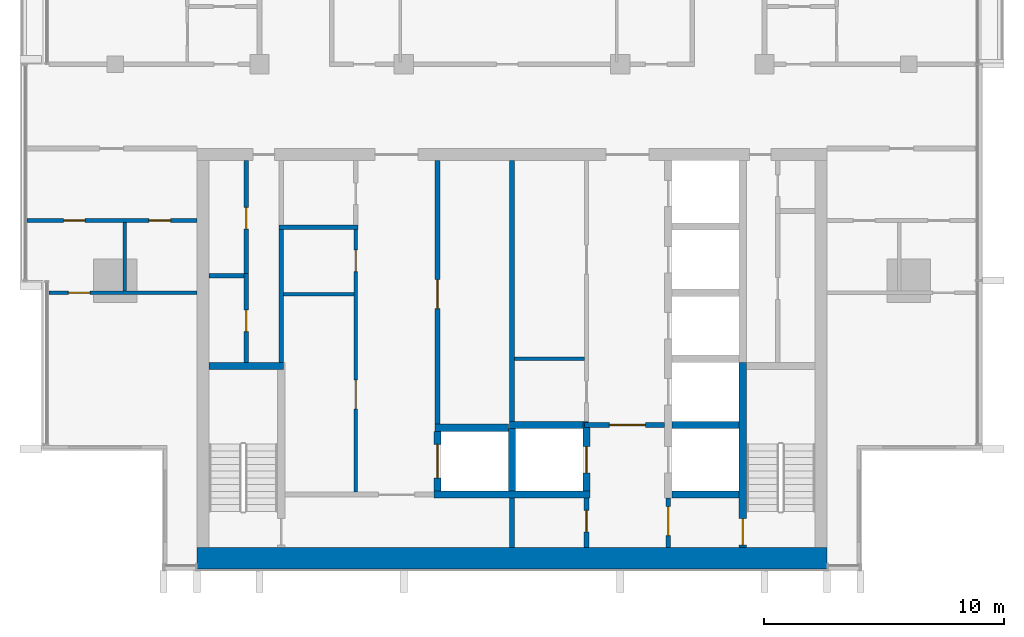
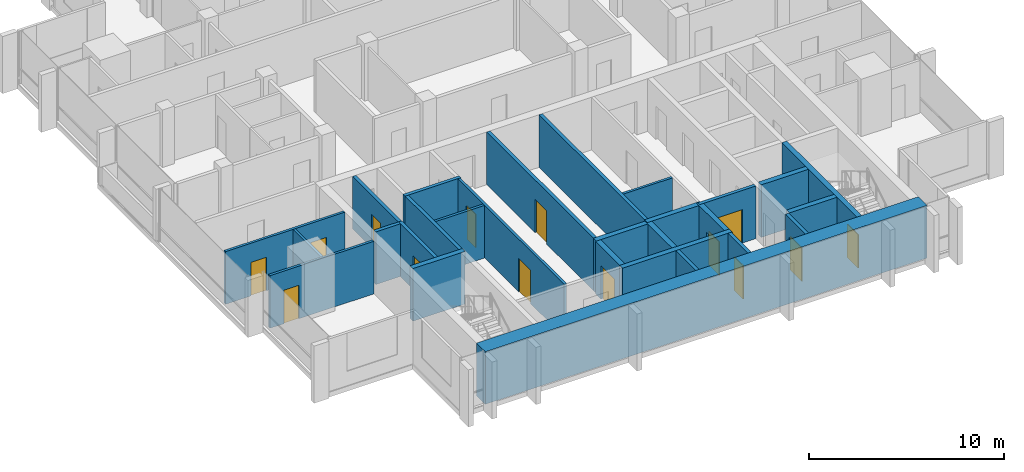
# One storey, part 7 of 16: 28 walls, 14 doors, 14 openings.
"""IFC4 building model written with IfcOpenShell, lengths in metres."""

import ifcopenshell
import ifcopenshell.guid

model = None  # the IFC model being written
_history = None  # IfcOwnerHistory: only IFC2X3 demands one
_inside = {}  # id of a spatial element -> (the spatial element, [elements in it])
_under = {}  # id of a project, library or spatial element -> (it, [spatial elements below it])
_declared = {}  # id of a project -> (the project, [libraries it declares])
_typed = {}  # id of a type object -> (the type object, [elements of that type])
_made_of = {}  # id of a material, layer set ... -> (it, [elements and type objects made of it])


def new_model(schema):
    """Start an empty IFC model of exactly this schema.

    Asked for "IFC4X3", IfcOpenShell would pick the latest addendum, in which some entities
    have other attributes; the version numbers below select the first issue.
    IFC2X3 requires an IfcOwnerHistory on every rooted entity: one is made here for all.
    """
    global model, _history
    if schema == "IFC4X3":
        model = ifcopenshell.file(schema_version=(4, 3, 0, 0))
    else:
        model = ifcopenshell.file(schema=schema)
    _inside.clear()
    _under.clear()
    _declared.clear()
    _typed.clear()
    _made_of.clear()
    _history = None
    if model.schema == "IFC2X3":
        org = make("IfcOrganization", Name="unknown")
        user = make(
            "IfcPersonAndOrganization",
            ThePerson=make("IfcPerson", FamilyName="unknown"),
            TheOrganization=org,
        )
        app = make(
            "IfcApplication",
            ApplicationDeveloper=org,
            Version="unknown",
            ApplicationFullName="unknown",
            ApplicationIdentifier="unknown",
        )
        _history = make(
            "IfcOwnerHistory",
            OwningUser=user,
            OwningApplication=app,
            ChangeAction="ADDED",
            CreationDate=0,
        )
    return model


def make(cls, **values):
    """One entity of the class cls with the attributes given. An attribute that is None is left unset."""
    return model.create_entity(
        cls, **{name: value for name, value in values.items() if value is not None}
    )


def rooted(cls, **values):
    """An entity with a GlobalId (a new one), such as an element, a storey or a relation."""
    return make(cls, GlobalId=ifcopenshell.guid.new(), OwnerHistory=_history, **values)


def si_unit(unit_type, name, prefix=None):
    """IfcSIUnit, for example si_unit("LENGTHUNIT", "METRE", prefix="MILLI")."""
    return make("IfcSIUnit", UnitType=unit_type, Prefix=prefix, Name=name)


def assignment(units):
    """IfcUnitAssignment: the units of a project."""
    return None if units is None else make("IfcUnitAssignment", Units=units)


def point(xyz):
    """IfcCartesianPoint."""
    return None if xyz is None else make("IfcCartesianPoint", Coordinates=xyz)


def direction(xyz):
    """IfcDirection."""
    return None if xyz is None else make("IfcDirection", DirectionRatios=xyz)


def frame(location, z_axis=None, x_axis=None):
    """IfcAxis2Placement3D, a coordinate frame: its origin and axes. An axis left out is left unset."""
    return make(
        "IfcAxis2Placement3D",
        Location=point(location),
        Axis=direction(z_axis),
        RefDirection=direction(x_axis),
    )


def frame_2d(location, x_axis=None):
    """IfcAxis2Placement2D, a coordinate frame in the plane: its origin and x axis."""
    return make(
        "IfcAxis2Placement2D", Location=point(location), RefDirection=direction(x_axis)
    )


def origin():
    """The frame at (0, 0, 0) with its axes left unset."""
    return frame((0.0, 0.0, 0.0))


def place(relative_to, where):
    """IfcLocalPlacement: puts the frame where relative to a parent placement (None: the world)."""
    return make(
        "IfcLocalPlacement", PlacementRelTo=relative_to, RelativePlacement=where
    )


def context(
    kind, dimensions, precision=None, world=None, true_north=None, identifier=None
):
    """IfcGeometricRepresentationContext, for example the 3D "Model" context."""
    return make(
        "IfcGeometricRepresentationContext",
        ContextIdentifier=identifier,
        ContextType=kind,
        CoordinateSpaceDimension=dimensions,
        Precision=precision,
        WorldCoordinateSystem=world,
        TrueNorth=true_north,
    )


def subcontext(parent, identifier, kind, view, scale=None):
    """IfcGeometricRepresentationSubContext, for example "Body" below "Model"."""
    return make(
        "IfcGeometricRepresentationSubContext",
        ContextIdentifier=identifier,
        ContextType=kind,
        ParentContext=parent,
        TargetScale=scale,
        TargetView=view,
    )


def project(units=None, contexts=None):
    """IfcProject with its units and contexts."""
    return rooted(
        "IfcProject",
        Name="project",
        RepresentationContexts=contexts,
        UnitsInContext=assignment(units),
    )


def spatial(cls, under=None, at=None, **own):
    """A site, building, storey or space (cls), placed at a placement, below another one or the project."""
    s = rooted(cls, ObjectPlacement=at, **own)
    if under is not None:
        _under.setdefault(under.id(), (under, []))[1].append(s)
    return s


def profile(cls, at=None, kind="AREA", **sizes):
    """A parametric profile (cls). Its sizes go by their IFC names, for example OverallWidth=200.0."""
    return make(cls, ProfileType=kind, Position=at, **sizes)


def rectangle(**sizes):
    """IfcRectangleProfileDef."""
    return profile("IfcRectangleProfileDef", **sizes)


def extrude(swept, where, along, depth):
    """IfcExtrudedAreaSolid: the profile swept, set in the frame where, extruded along a direction by depth."""
    return make(
        "IfcExtrudedAreaSolid",
        SweptArea=swept,
        Position=where,
        ExtrudedDirection=direction(along),
        Depth=depth,
    )


def shape(context_of_items, identifier, shape_type, items):
    """IfcShapeRepresentation: the items that make up one representation, for example the "Body"."""
    return make(
        "IfcShapeRepresentation",
        ContextOfItems=context_of_items,
        RepresentationIdentifier=identifier,
        RepresentationType=shape_type,
        Items=items,
    )


def material(Name=None, Category=None):
    """IfcMaterial."""
    return make("IfcMaterial", Name=Name, Category=Category)


def layer(
    of_material, thickness, ventilated=None, Name=None, Category=None, Priority=None
):
    """IfcMaterialLayer: one layer of a wall or slab, of a material (None: an air gap)."""
    return make(
        "IfcMaterialLayer",
        Material=of_material,
        LayerThickness=thickness,
        IsVentilated=ventilated,
        Name=Name,
        Category=Category,
        Priority=Priority,
    )


def layer_set(layers, Name=None):
    """IfcMaterialLayerSet."""
    return make("IfcMaterialLayerSet", MaterialLayers=layers, LayerSetName=Name)


def made_of(thing, what):
    """Note that an element or type object is made of a material, layer set ...; save() writes the relation."""
    if what is not None:
        _made_of.setdefault(what.id(), (what, []))[1].append(thing)
    return thing


def type_object(cls, material=None, **own):
    """A type object (cls), such as IfcWallType, which elements share."""
    return made_of(rooted(cls, **own), material)


def element(
    cls,
    number,
    at=None,
    inside=None,
    cuts=None,
    type_object=None,
    material=None,
    context=None,
    identifier="Body",
    shape_type=None,
    held_by="IfcProductDefinitionShape",
    body=None,
    shapes=None,
    **own,
):
    """One element of the class cls, such as IfcWall. Its Tag is "e" and its number.

    at: its placement. inside: the storey or other place that contains it. cuts: it is an
    opening in that element (IfcRelVoidsElement). A single representation is given by context,
    identifier, shape_type and body (its items); several are given by shapes. held_by: the class
    of the entity that holds the representations. save() writes the other relations.
    """
    e = rooted(cls, Tag="e%d" % number, ObjectPlacement=at, **own)
    if body is not None:
        shapes = [shape(context, identifier, shape_type, body)]
    if shapes is not None:
        e.Representation = make(held_by, Representations=shapes)
    if inside is not None:
        _inside.setdefault(inside.id(), (inside, []))[1].append(e)
    if cuts is not None:
        rooted(
            "IfcRelVoidsElement", RelatingBuildingElement=cuts, RelatedOpeningElement=e
        )
    if type_object is not None:
        _typed.setdefault(type_object.id(), (type_object, []))[1].append(e)
    return made_of(e, material)


def fill(opening, filler):
    """IfcRelFillsElement: the door or window that sits in an opening."""
    return rooted(
        "IfcRelFillsElement",
        RelatingOpeningElement=opening,
        RelatedBuildingElement=filler,
    )


def aggregate(whole, parts):
    """IfcRelAggregates: a whole, such as a stair, and the parts it consists of."""
    return rooted("IfcRelAggregates", RelatingObject=whole, RelatedObjects=parts)


def save(model, path):
    """Write the relations noted so far, then the file.

    IfcRelAggregates (storeys below a building ...), IfcRelContainedInSpatialStructure (elements
    in a storey), IfcRelDefinesByType, IfcRelAssociatesMaterial and IfcRelDeclares: one each for
    every whole, place, type object, material and project.
    """
    for whole, parts in _under.values():
        aggregate(whole, parts)
    for where, things in _inside.values():
        rooted(
            "IfcRelContainedInSpatialStructure",
            RelatedElements=things,
            RelatingStructure=where,
        )
    for kind, things in _typed.values():
        rooted("IfcRelDefinesByType", RelatedObjects=things, RelatingType=kind)
    for what, things in _made_of.values():
        rooted("IfcRelAssociatesMaterial", RelatedObjects=things, RelatingMaterial=what)
    for by, libraries in _declared.values():
        rooted("IfcRelDeclares", RelatingContext=by, RelatedDefinitions=libraries)
    model.write(path)


model = new_model("IFC4")

# Units and contexts
model_context = context("Model", 3, precision=1e-05, world=origin(), true_north=direction((0.0, 1.0)))
body_context = subcontext(model_context, "Body", "Model", "MODEL_VIEW")
ifc_project = project(units=[si_unit("LENGTHUNIT", "METRE"), si_unit("AREAUNIT", "SQUARE_METRE"), si_unit("VOLUMEUNIT", "CUBIC_METRE"), si_unit("PLANEANGLEUNIT", "RADIAN"), si_unit("MASSUNIT", "GRAM", prefix="KILO")], contexts=[model_context])

# Site, building, storey
site_placement = place(None, origin())
site = spatial("IfcSite", under=ifc_project, at=site_placement, CompositionType="ELEMENT")
building_placement = place(site_placement, origin())
building = spatial("IfcBuilding", under=site, at=building_placement, Name="Finial Court Residences", CompositionType="ELEMENT")
storey_placement = place(building_placement, frame((0.0, 0.0, 287.89990234375)))
storey = spatial("IfcBuildingStorey", under=building, at=storey_placement, Name="L73", CompositionType="ELEMENT", Elevation=287.89990234375)

# Walls
ifc_material_1 = material(Name="Fire-rated gypsum board partition")
ifc_layer_1 = layer(ifc_material_1, 0.14990234375)
ifc_layer_set_1 = layer_set([ifc_layer_1], Name="Core room partition 150 EI 60")
wall_type_1 = type_object("IfcWallType", Name="Core room partition 150 EI 60", PredefinedType="PARTITIONING", material=ifc_layer_set_1)
wall_1_placement = place(storey_placement, frame((0.10009765625, -16.75, 0.0), z_axis=(0.0, 0.0, 1.0), x_axis=(1.0, 0.0, 0.0)))
element("IfcWall", 1, at=wall_1_placement, inside=storey, type_object=wall_type_1, Name="Core partition L73-10", PredefinedType="PARTITIONING", context=body_context, shape_type="SweptSolid", body=[
    extrude(rectangle(XDim=2.9248046875, YDim=0.14990234375, at=frame_2d((1.46240234375, 0.0))), origin(), (0.0, 0.0, 1.0), 3.300048828125),
])
wall_2_placement = place(storey_placement, frame((-9.5, -14.06005859375, 0.0), z_axis=(0.0, 0.0, 1.0), x_axis=(1.0, 0.0, 0.0)))
element("IfcWall", 2, at=wall_2_placement, inside=storey, type_object=wall_type_1, Name="Core partition L73-12", PredefinedType="PARTITIONING", context=body_context, shape_type="SweptSolid", body=[
    extrude(rectangle(XDim=2.925048828125, YDim=0.14990234375, at=frame_2d((1.46240234375, 0.0))), origin(), (0.0, 0.0, 1.0), 3.300048828125),
])

# Wall, openings, doors
wall_3_placement = place(storey_placement, frame((-6.5, -22.300048828125, 0.0), z_axis=(0.0, 0.0, 1.0), x_axis=(0.0, 1.0, 0.0)))
wall_3 = element("IfcWall", 3, at=wall_3_placement, inside=storey, type_object=wall_type_1, Name="Core partition L73-23", PredefinedType="PARTITIONING", context=body_context, shape_type="SweptSolid", body=[
    extrude(rectangle(XDim=10.920166015625, YDim=0.14990234375, at=frame_2d((5.4599609375, 0.0))), origin(), (0.0, 0.0, 1.0), 3.300048828125),
])
opening_1_placement = place(wall_3_placement, frame((3.469970703125, 0.0, 0.0)))
opening_1 = element("IfcOpeningElement", 4, at=opening_1_placement, cuts=wall_3, Name="Opening L73-C15", PredefinedType="OPENING", context=body_context, shape_type="SweptSolid", body=[
    extrude(rectangle(XDim=1.199951171875, YDim=2.10009765625, at=frame_2d((0.60009765625, 1.050048828125))), frame((0.0, 0.0849609375, 0.0), z_axis=(0.0, -1.0, 0.0), x_axis=(1.0, 0.0, 0.0)), (0.0, 0.0, 1.0), 0.169921875),
])
opening_2_placement = place(wall_3_placement, frame((9.179931640625, 0.0, 0.0)))
opening_2 = element("IfcOpeningElement", 5, at=opening_2_placement, cuts=wall_3, Name="Opening L73-C16", PredefinedType="OPENING", context=body_context, shape_type="SweptSolid", body=[
    extrude(rectangle(XDim=0.89990234375, YDim=2.10009765625, at=frame_2d((0.449951171875, 1.050048828125))), frame((0.0, 0.0849609375, 0.0), z_axis=(0.0, -1.0, 0.0), x_axis=(1.0, 0.0, 0.0)), (0.0, 0.0, 1.0), 0.169921875),
])
ifc_material_2 = material(Name="Steel fire door", Category="steel")
door_type_1 = type_object("IfcDoorType", Name="Core room door 1200 x 2100 EI 60", OperationType="NOTDEFINED", PredefinedType="DOOR", material=ifc_material_2)
door_1_placement = place(opening_1_placement, origin())
door_1 = element("IfcDoor", 6, at=door_1_placement, inside=storey, type_object=door_type_1, Name="Core room door L73-C15", OperationType="SINGLE_SWING_LEFT", OverallHeight=2.10009765625, OverallWidth=1.199951171875, PredefinedType="DOOR", context=body_context, shape_type="SweptSolid", body=[
    extrude(rectangle(XDim=1.199951171875, YDim=2.10009765625, at=frame_2d((0.60009765625, 1.050048828125))), frame((0.0, 0.02490234375, 0.0), z_axis=(0.0, -1.0, 0.0), x_axis=(1.0, 0.0, 0.0)), (0.0, 0.0, 1.0), 0.050048828125),
])
fill(opening_1, door_1)
door_type_2 = type_object("IfcDoorType", Name="Core room door 900 x 2100 EI 60", OperationType="NOTDEFINED", PredefinedType="DOOR", material=ifc_material_2)
door_2_placement = place(opening_2_placement, origin())
door_2 = element("IfcDoor", 7, at=door_2_placement, inside=storey, type_object=door_type_2, Name="Core room door L73-C16", OperationType="SINGLE_SWING_LEFT", OverallHeight=2.10009765625, OverallWidth=0.89990234375, PredefinedType="DOOR", context=body_context, shape_type="SweptSolid", body=[
    extrude(rectangle(XDim=0.89990234375, YDim=2.10009765625, at=frame_2d((0.449951171875, 1.050048828125))), frame((0.0, 0.02490234375, 0.0), z_axis=(0.0, -1.0, 0.0), x_axis=(1.0, 0.0, 0.0)), (0.0, 0.0, 1.0), 0.050048828125),
])
fill(opening_2, door_2)

# Wall
ifc_material_3 = material(Name="Concrete C50/60", Category="concrete")
ifc_layer_2 = layer(ifc_material_3, 0.89990234375)
ifc_layer_set_2 = layer_set([ifc_layer_2], Name="Core south facade wall 900 Concrete C50/60")
wall_type_2 = type_object("IfcWallType", Name="Core south facade wall 900 Concrete C50/60", PredefinedType="SHEAR", material=ifc_layer_set_2)
wall_4_placement = place(storey_placement, frame((-13.10009765625, -25.050048828125, 0.0), z_axis=(0.0, 0.0, 1.0), x_axis=(1.0, 0.0, 0.0)))
element("IfcWall", 8, at=wall_4_placement, inside=storey, type_object=wall_type_2, Name="Core outer wall L73-01", PredefinedType="SHEAR", context=body_context, shape_type="SweptSolid", body=[
    extrude(rectangle(XDim=26.2001953125, YDim=0.89990234375, at=frame_2d((13.10009765625, 0.0))), origin(), (0.0, 0.0, 1.0), 3.300048828125),
])

# Wall, opening, door
ifc_layer_3 = layer(ifc_material_1, 0.199951171875)
ifc_layer_set_3 = layer_set([ifc_layer_3], Name="Firefighting lobby wall 200 EI 120")
wall_type_3 = type_object("IfcWallType", Name="Firefighting lobby wall 200 EI 120", PredefinedType="PARTITIONING", material=ifc_layer_set_3)
wall_5_placement = place(storey_placement, frame((6.35009765625, -19.5, 0.0), z_axis=(0.0, 0.0, 1.0), x_axis=(-1.0, 0.0, 0.0)))
wall_5 = element("IfcWall", 9, at=wall_5_placement, inside=storey, type_object=wall_type_3, Name="Core partition L73-06", PredefinedType="PARTITIONING", context=body_context, shape_type="SweptSolid", body=[
    extrude(rectangle(XDim=3.3251953125, YDim=0.199951171875, at=frame_2d((1.66259765625, 0.0))), origin(), (0.0, 0.0, 1.0), 3.300048828125),
])
opening_3_placement = place(wall_5_placement, frame((0.800048828125, 0.0, 0.0)))
opening_3 = element("IfcOpeningElement", 10, at=opening_3_placement, cuts=wall_5, Name="Opening L73-C02", PredefinedType="OPENING", context=body_context, shape_type="SweptSolid", body=[
    extrude(rectangle(XDim=1.5, YDim=2.10009765625, at=frame_2d((0.75, 1.050048828125))), frame((0.0, 0.10986328125, 0.0), z_axis=(0.0, -1.0, 0.0), x_axis=(1.0, 0.0, 0.0)), (0.0, 0.0, 1.0), 0.219970703125),
])
door_type_3 = type_object("IfcDoorType", Name="Firefighting lobby door 1500 x 2100 EI 90", OperationType="DOUBLE_DOOR_SINGLE_SWING", PredefinedType="DOOR", material=ifc_material_2)
door_3_placement = place(opening_3_placement, origin())
door_3 = element("IfcDoor", 11, at=door_3_placement, inside=storey, type_object=door_type_3, Name="Firefighting lobby door L73-C02", OperationType="DOUBLE_DOOR_SINGLE_SWING", OverallHeight=2.10009765625, OverallWidth=1.5, PredefinedType="DOOR", context=body_context, shape_type="SweptSolid", body=[
    extrude(rectangle(XDim=1.5, YDim=2.10009765625, at=frame_2d((0.75, 1.050048828125))), frame((0.0, 0.02490234375, 0.0), z_axis=(0.0, -1.0, 0.0), x_axis=(1.0, 0.0, 0.0)), (0.0, 0.0, 1.0), 0.050048828125),
])
fill(opening_3, door_3)

wall_6_placement = place(storey_placement, frame((3.10009765625, -24.60009765625, 0.0), z_axis=(0.0, 0.0, 1.0), x_axis=(0.0, 1.0, 0.0)))
wall_6 = element("IfcWall", 12, at=wall_6_placement, inside=storey, type_object=wall_type_3, Name="Core partition L73-30", PredefinedType="PARTITIONING", context=body_context, shape_type="SweptSolid", body=[
    extrude(rectangle(XDim=2.050048828125, YDim=0.199951171875, at=frame_2d((1.02490234375, 0.0))), origin(), (0.0, 0.0, 1.0), 3.300048828125),
])
opening_4_placement = place(wall_6_placement, frame((0.64990234375, 0.0, 0.0)))
opening_4 = element("IfcOpeningElement", 13, at=opening_4_placement, cuts=wall_6, Name="Opening L73-C06", PredefinedType="OPENING", context=body_context, shape_type="SweptSolid", body=[
    extrude(rectangle(XDim=0.89990234375, YDim=2.10009765625, at=frame_2d((0.449951171875, 1.050048828125))), frame((0.0, 0.10986328125, 0.0), z_axis=(0.0, -1.0, 0.0), x_axis=(1.0, 0.0, 0.0)), (0.0, 0.0, 1.0), 0.219970703125),
])
door_type_4 = type_object("IfcDoorType", Name="Riser room door 900 x 2100 EI 90", OperationType="NOTDEFINED", PredefinedType="DOOR", material=ifc_material_2)
door_4_placement = place(opening_4_placement, origin())
door_4 = element("IfcDoor", 14, at=door_4_placement, inside=storey, type_object=door_type_4, Name="Riser room door L73-C06", OperationType="SINGLE_SWING_LEFT", OverallHeight=2.10009765625, OverallWidth=0.89990234375, PredefinedType="DOOR", context=body_context, shape_type="SweptSolid", body=[
    extrude(rectangle(XDim=0.89990234375, YDim=2.10009765625, at=frame_2d((0.449951171875, 1.050048828125))), frame((0.0, 0.02490234375, 0.0), z_axis=(0.0, -1.0, 0.0), x_axis=(1.0, 0.0, 0.0)), (0.0, 0.0, 1.0), 0.050048828125),
])
fill(opening_4, door_4)

wall_7_placement = place(storey_placement, frame((6.5, -22.550048828125, 0.0), z_axis=(0.0, 0.0, 1.0), x_axis=(0.0, -1.0, 0.0)))
wall_7 = element("IfcWall", 15, at=wall_7_placement, inside=storey, type_object=wall_type_3, Name="Core partition L73-33", PredefinedType="PARTITIONING", context=body_context, shape_type="SweptSolid", body=[
    extrude(rectangle(XDim=2.050048828125, YDim=0.199951171875, at=frame_2d((1.02490234375, 0.0))), origin(), (0.0, 0.0, 1.0), 3.300048828125),
])
opening_5_placement = place(wall_7_placement, frame((0.35009765625, 0.0, 0.0)))
opening_5 = element("IfcOpeningElement", 16, at=opening_5_placement, cuts=wall_7, Name="Opening L73-C01", PredefinedType="OPENING", context=body_context, shape_type="SweptSolid", body=[
    extrude(rectangle(XDim=1.199951171875, YDim=2.10009765625, at=frame_2d((0.60009765625, 1.050048828125))), frame((0.0, 0.10986328125, 0.0), z_axis=(0.0, -1.0, 0.0), x_axis=(1.0, 0.0, 0.0)), (0.0, 0.0, 1.0), 0.219970703125),
])
door_type_5 = type_object("IfcDoorType", Name="Firefighting lobby door 1200 x 2100 EI 90", OperationType="NOTDEFINED", PredefinedType="DOOR", material=ifc_material_2)
door_5_placement = place(opening_5_placement, origin())
door_5 = element("IfcDoor", 17, at=door_5_placement, inside=storey, type_object=door_type_5, Name="Firefighting lobby door L73-C01", OperationType="SINGLE_SWING_RIGHT", OverallHeight=2.10009765625, OverallWidth=1.199951171875, PredefinedType="DOOR", context=body_context, shape_type="SweptSolid", body=[
    extrude(rectangle(XDim=1.199951171875, YDim=2.10009765625, at=frame_2d((0.60009765625, 1.050048828125))), frame((0.0, 0.02490234375, 0.0), z_axis=(0.0, -1.0, 0.0), x_axis=(1.0, 0.0, 0.0)), (0.0, 0.0, 1.0), 0.050048828125),
])
fill(opening_5, door_5)

ifc_material_4 = material(Name="Moisture-resistant gypsum board")
ifc_layer_4 = layer(ifc_material_4, 0.012451171875)
ifc_material_5 = material(Name="Mineral wool in light-gauge frame")
ifc_layer_5 = layer(ifc_material_5, 0.125)
ifc_layer_6 = layer(ifc_material_4, 0.012451171875)
ifc_layer_set_4 = layer_set([ifc_layer_4, ifc_layer_5, ifc_layer_6], Name="Gypsum board wet-area partition 150")
wall_type_4 = type_object("IfcWallType", Name="Gypsum board wet-area partition 150", PredefinedType="PARTITIONING", material=ifc_layer_set_4)
wall_8_placement = place(storey_placement, frame((-19.262451171875, -14.0, 0.0), z_axis=(0.0, 0.0, 1.0), x_axis=(1.0, 0.0, 0.0)))
wall_8 = element("IfcWall", 18, at=wall_8_placement, inside=storey, type_object=wall_type_4, Name="Partition L73-000", PredefinedType="PARTITIONING", context=body_context, shape_type="SweptSolid", body=[
    extrude(rectangle(XDim=6.162353515625, YDim=0.14990234375, at=frame_2d((3.0810546875, 0.0))), origin(), (0.0, 0.0, 1.0), 3.300048828125),
])
opening_6_placement = place(wall_8_placement, frame((0.81201171875, 0.0, 0.0)))
opening_6 = element("IfcOpeningElement", 19, at=opening_6_placement, cuts=wall_8, Name="Opening L73-D001", PredefinedType="OPENING", context=body_context, shape_type="SweptSolid", body=[
    extrude(rectangle(XDim=0.89990234375, YDim=2.10009765625, at=frame_2d((0.449951171875, 1.050048828125))), frame((0.0, 0.0849609375, 0.0), z_axis=(0.0, -1.0, 0.0), x_axis=(1.0, 0.0, 0.0)), (0.0, 0.0, 1.0), 0.169921875),
])
ifc_material_6 = material(Name="Timber door leaf in timber frame", Category="wood")
door_type_6 = type_object("IfcDoorType", Name="Door set 900 x 2100", OperationType="SINGLE_SWING_LEFT", PredefinedType="DOOR", material=ifc_material_6)
door_6_placement = place(opening_6_placement, origin())
door_6 = element("IfcDoor", 20, at=door_6_placement, inside=storey, type_object=door_type_6, Name="Door L73-D001", OperationType="SINGLE_SWING_LEFT", OverallHeight=2.10009765625, OverallWidth=0.89990234375, PredefinedType="DOOR", context=body_context, shape_type="SweptSolid", body=[
    extrude(rectangle(XDim=0.89990234375, YDim=2.10009765625, at=frame_2d((0.449951171875, 1.050048828125))), frame((0.0, 0.02490234375, 0.0), z_axis=(0.0, -1.0, 0.0), x_axis=(1.0, 0.0, 0.0)), (0.0, 0.0, 1.0), 0.050048828125),
])
fill(opening_6, door_6)

# Wall, openings, doors
wall_9_placement = place(storey_placement, frame((-20.16259765625, -11.0, 0.0), z_axis=(0.0, 0.0, 1.0), x_axis=(1.0, 0.0, 0.0)))
wall_9 = element("IfcWall", 21, at=wall_9_placement, inside=storey, type_object=wall_type_4, Name="Partition L73-002", PredefinedType="PARTITIONING", context=body_context, shape_type="SweptSolid", body=[
    extrude(rectangle(XDim=7.0625, YDim=0.14990234375, at=frame_2d((3.53125, 0.0))), origin(), (0.0, 0.0, 1.0), 3.300048828125),
])
opening_7_placement = place(wall_9_placement, frame((1.512939453125, 0.0, 0.0)))
opening_7 = element("IfcOpeningElement", 22, at=opening_7_placement, cuts=wall_9, Name="Opening L73-D003", PredefinedType="OPENING", context=body_context, shape_type="SweptSolid", body=[
    extrude(rectangle(XDim=0.89990234375, YDim=2.10009765625, at=frame_2d((0.449951171875, 1.050048828125))), frame((0.0, 0.0849609375, 0.0), z_axis=(0.0, -1.0, 0.0), x_axis=(1.0, 0.0, 0.0)), (0.0, 0.0, 1.0), 0.169921875),
])
opening_8_placement = place(wall_9_placement, frame((5.06298828125, 0.0, 0.0)))
opening_8 = element("IfcOpeningElement", 23, at=opening_8_placement, cuts=wall_9, Name="Opening L73-D004", PredefinedType="OPENING", context=body_context, shape_type="SweptSolid", body=[
    extrude(rectangle(XDim=0.89990234375, YDim=2.10009765625, at=frame_2d((0.449951171875, 1.050048828125))), frame((0.0, 0.0849609375, 0.0), z_axis=(0.0, -1.0, 0.0), x_axis=(1.0, 0.0, 0.0)), (0.0, 0.0, 1.0), 0.169921875),
])
door_7_placement = place(opening_7_placement, origin())
door_7 = element("IfcDoor", 24, at=door_7_placement, inside=storey, type_object=door_type_6, Name="Door L73-D003", OperationType="SINGLE_SWING_LEFT", OverallHeight=2.10009765625, OverallWidth=0.89990234375, PredefinedType="DOOR", context=body_context, shape_type="SweptSolid", body=[
    extrude(rectangle(XDim=0.89990234375, YDim=2.10009765625, at=frame_2d((0.449951171875, 1.050048828125))), frame((0.0, 0.02490234375, 0.0), z_axis=(0.0, -1.0, 0.0), x_axis=(1.0, 0.0, 0.0)), (0.0, 0.0, 1.0), 0.050048828125),
])
fill(opening_7, door_7)
door_8_placement = place(opening_8_placement, origin())
door_8 = element("IfcDoor", 25, at=door_8_placement, inside=storey, type_object=door_type_6, Name="Door L73-D004", OperationType="SINGLE_SWING_RIGHT", OverallHeight=2.10009765625, OverallWidth=0.89990234375, PredefinedType="DOOR", context=body_context, shape_type="SweptSolid", body=[
    extrude(rectangle(XDim=0.89990234375, YDim=2.10009765625, at=frame_2d((0.449951171875, 1.050048828125))), frame((0.0, 0.02490234375, 0.0), z_axis=(0.0, -1.0, 0.0), x_axis=(1.0, 0.0, 0.0)), (0.0, 0.0, 1.0), 0.050048828125),
])
fill(opening_8, door_8)

# Walls
wall_10_placement = place(storey_placement, frame((-16.10009765625, -13.925048828125, 0.0), z_axis=(0.0, 0.0, 1.0), x_axis=(0.0, 1.0, 0.0)))
element("IfcWall", 26, at=wall_10_placement, inside=storey, type_object=wall_type_4, Name="Partition L73-031", PredefinedType="PARTITIONING", context=body_context, shape_type="SweptSolid", body=[
    extrude(rectangle(XDim=2.85009765625, YDim=0.14990234375, at=frame_2d((1.425048828125, 0.0))), origin(), (0.0, 0.0, 1.0), 3.300048828125),
])
ifc_layer_7 = layer(ifc_material_3, 0.300048828125)
ifc_layer_set_5 = layer_set([ifc_layer_7], Name="Lift shaft and stair wall 300 Concrete C50/60")
wall_type_5 = type_object("IfcWallType", Name="Lift shaft and stair wall 300 Concrete C50/60", PredefinedType="SHEAR", material=ifc_layer_set_5)
wall_11_placement = place(storey_placement, frame((-3.25, -22.39990234375, 0.0), z_axis=(0.0, 0.0, 1.0), x_axis=(1.0, 0.0, 0.0)))
element("IfcWall", 27, at=wall_11_placement, inside=storey, type_object=wall_type_5, Name="Core wall L73-02", PredefinedType="SHEAR", context=body_context, shape_type="SweptSolid", body=[
    extrude(rectangle(XDim=6.5, YDim=0.300048828125, at=frame_2d((3.25, 0.0))), origin(), (0.0, 0.0, 1.0), 3.300048828125),
])
wall_12_placement = place(storey_placement, frame((6.64990234375, -22.39990234375, 0.0), z_axis=(0.0, 0.0, 1.0), x_axis=(1.0, 0.0, 0.0)))
element("IfcWall", 28, at=wall_12_placement, inside=storey, type_object=wall_type_5, Name="Core wall L73-03", PredefinedType="SHEAR", context=body_context, shape_type="SweptSolid", body=[
    extrude(rectangle(XDim=2.800048828125, YDim=0.300048828125, at=frame_2d((1.39990234375, 0.0))), origin(), (0.0, 0.0, 1.0), 3.300048828125),
])
wall_13_placement = place(storey_placement, frame((-3.199951171875, -19.6201171875, 0.0), z_axis=(0.0, 0.0, 1.0), x_axis=(1.0, 0.0, 0.0)))
element("IfcWall", 29, at=wall_13_placement, inside=storey, type_object=wall_type_5, Name="Core wall L73-04", PredefinedType="SHEAR", context=body_context, shape_type="SweptSolid", body=[
    extrude(rectangle(XDim=3.050048828125, YDim=0.300048828125, at=frame_2d((1.52490234375, 0.0))), origin(), (0.0, 0.0, 1.0), 3.300048828125),
])
wall_14_placement = place(storey_placement, frame((-0.10009765625, -19.5, 0.0), z_axis=(0.0, 0.0, 1.0), x_axis=(1.0, 0.0, 0.0)))
element("IfcWall", 30, at=wall_14_placement, inside=storey, type_object=wall_type_5, Name="Core wall L73-05", PredefinedType="SHEAR", context=body_context, shape_type="SweptSolid", body=[
    extrude(rectangle(XDim=3.275146484375, YDim=0.300048828125, at=frame_2d((1.6376953125, 0.0))), origin(), (0.0, 0.0, 1.0), 3.300048828125),
])
wall_15_placement = place(storey_placement, frame((6.64990234375, -19.5, 0.0), z_axis=(0.0, 0.0, 1.0), x_axis=(1.0, 0.0, 0.0)))
element("IfcWall", 31, at=wall_15_placement, inside=storey, type_object=wall_type_5, Name="Core wall L73-07", PredefinedType="SHEAR", context=body_context, shape_type="SweptSolid", body=[
    extrude(rectangle(XDim=2.800048828125, YDim=0.300048828125, at=frame_2d((1.39990234375, 0.0))), origin(), (0.0, 0.0, 1.0), 3.300048828125),
])
wall_16_placement = place(storey_placement, frame((-12.60009765625, -17.050048828125, 0.0), z_axis=(0.0, 0.0, 1.0), x_axis=(1.0, 0.0, 0.0)))
element("IfcWall", 32, at=wall_16_placement, inside=storey, type_object=wall_type_5, Name="Core wall L73-08", PredefinedType="SHEAR", context=body_context, shape_type="SweptSolid", body=[
    extrude(rectangle(XDim=3.10009765625, YDim=0.300048828125, at=frame_2d((1.550048828125, 0.0))), origin(), (0.0, 0.0, 1.0), 3.300048828125),
])

# Wall, opening, door
wall_17_placement = place(storey_placement, frame((-3.10009765625, -22.25, 0.0), z_axis=(0.0, 0.0, 1.0), x_axis=(0.0, 1.0, 0.0)))
wall_17 = element("IfcWall", 33, at=wall_17_placement, inside=storey, type_object=wall_type_5, Name="Core wall L73-25", PredefinedType="SHEAR", context=body_context, shape_type="SweptSolid", body=[
    extrude(rectangle(XDim=2.47998046875, YDim=0.300048828125, at=frame_2d((1.239990234375, 0.0))), origin(), (0.0, 0.0, 1.0), 3.300048828125),
])
opening_9_placement = place(wall_17_placement, frame((0.5400390625, 0.0, 0.0)))
opening_9 = element("IfcOpeningElement", 34, at=opening_9_placement, cuts=wall_17, Name="Opening L73-LD07", PredefinedType="OPENING", context=body_context, shape_type="SweptSolid", body=[
    extrude(rectangle(XDim=1.39990234375, YDim=2.10009765625, at=frame_2d((0.699951171875, 1.050048828125))), frame((0.0, 0.159912109375, 0.0), z_axis=(0.0, -1.0, 0.0), x_axis=(1.0, 0.0, 0.0)), (0.0, 0.0, 1.0), 0.320068359375),
])
ifc_material_7 = material(Name="Stainless steel lift door", Category="steel")
door_type_7 = type_object("IfcDoorType", Name="Lift landing door 1400 x 2100 EI 90", OperationType="DOUBLE_DOOR_SLIDING", PredefinedType="DOOR", material=ifc_material_7)
door_9_placement = place(opening_9_placement, origin())
door_9 = element("IfcDoor", 35, at=door_9_placement, inside=storey, type_object=door_type_7, Name="Lift landing door SV1 L73", OperationType="DOUBLE_DOOR_SLIDING", OverallHeight=2.10009765625, OverallWidth=1.39990234375, PredefinedType="DOOR", context=body_context, shape_type="SweptSolid", body=[
    extrude(rectangle(XDim=1.39990234375, YDim=2.10009765625, at=frame_2d((0.699951171875, 1.050048828125))), frame((0.0, 0.02490234375, 0.0), z_axis=(0.0, -1.0, 0.0), x_axis=(1.0, 0.0, 0.0)), (0.0, 0.0, 1.0), 0.050048828125),
])
fill(opening_9, door_9)

# Wall
wall_18_placement = place(storey_placement, frame((0.0, -22.25, 0.0), z_axis=(0.0, 0.0, 1.0), x_axis=(0.0, 1.0, 0.0)))
element("IfcWall", 36, at=wall_18_placement, inside=storey, type_object=wall_type_5, Name="Core wall L73-28", PredefinedType="SHEAR", context=body_context, shape_type="SweptSolid", body=[
    extrude(rectangle(XDim=2.60009765625, YDim=0.300048828125, at=frame_2d((1.300048828125, 0.0))), origin(), (0.0, 0.0, 1.0), 3.300048828125),
])

# Wall, opening, door
wall_19_placement = place(storey_placement, frame((3.10009765625, -22.25, 0.0), z_axis=(0.0, 0.0, 1.0), x_axis=(0.0, 1.0, 0.0)))
wall_19 = element("IfcWall", 37, at=wall_19_placement, inside=storey, type_object=wall_type_5, Name="Core wall L73-31", PredefinedType="SHEAR", context=body_context, shape_type="SweptSolid", body=[
    extrude(rectangle(XDim=2.85009765625, YDim=0.300048828125, at=frame_2d((1.425048828125, 0.0))), origin(), (0.0, 0.0, 1.0), 3.300048828125),
])
opening_10_placement = place(wall_19_placement, frame((0.75, 0.0, 0.0)))
opening_10 = element("IfcOpeningElement", 38, at=opening_10_placement, cuts=wall_19, Name="Opening L73-LD01", PredefinedType="OPENING", context=body_context, shape_type="SweptSolid", body=[
    extrude(rectangle(XDim=1.10009765625, YDim=2.10009765625, at=frame_2d((0.550048828125, 1.050048828125))), frame((0.0, 0.159912109375, 0.0), z_axis=(0.0, -1.0, 0.0), x_axis=(1.0, 0.0, 0.0)), (0.0, 0.0, 1.0), 0.320068359375),
])
door_type_8 = type_object("IfcDoorType", Name="Lift landing door 1100 x 2100 EI 90", OperationType="DOUBLE_DOOR_SLIDING", PredefinedType="DOOR", material=ifc_material_7)
door_10_placement = place(opening_10_placement, origin())
door_10 = element("IfcDoor", 39, at=door_10_placement, inside=storey, type_object=door_type_8, Name="Lift landing door FF1 L73", OperationType="DOUBLE_DOOR_SLIDING", OverallHeight=2.10009765625, OverallWidth=1.10009765625, PredefinedType="DOOR", context=body_context, shape_type="SweptSolid", body=[
    extrude(rectangle(XDim=1.10009765625, YDim=2.10009765625, at=frame_2d((0.550048828125, 1.050048828125))), frame((0.0, 0.02490234375, 0.0), z_axis=(0.0, -1.0, 0.0), x_axis=(1.0, 0.0, 0.0)), (0.0, 0.0, 1.0), 0.050048828125),
])
fill(opening_10, door_10)

wall_20_placement = place(storey_placement, frame((9.60009765625, -16.89990234375, 0.0), z_axis=(0.0, 0.0, 1.0), x_axis=(0.0, -1.0, 0.0)))
wall_20 = element("IfcWall", 40, at=wall_20_placement, inside=storey, type_object=wall_type_5, Name="Core wall L73-35", PredefinedType="SHEAR", context=body_context, shape_type="SweptSolid", body=[
    extrude(rectangle(XDim=7.7001953125, YDim=0.300048828125, at=frame_2d((3.85009765625, 0.0))), origin(), (0.0, 0.0, 1.0), 3.300048828125),
])
opening_11_placement = place(wall_20_placement, frame((6.5, 0.0, 0.0)))
opening_11 = element("IfcOpeningElement", 41, at=opening_11_placement, cuts=wall_20, Name="Opening L73-C20", PredefinedType="OPENING", context=body_context, shape_type="SweptSolid", body=[
    extrude(rectangle(XDim=1.10009765625, YDim=2.10009765625, at=frame_2d((0.550048828125, 1.050048828125))), frame((0.0, 0.159912109375, 0.0), z_axis=(0.0, -1.0, 0.0), x_axis=(1.0, 0.0, 0.0)), (0.0, 0.0, 1.0), 0.320068359375),
])
door_type_9 = type_object("IfcDoorType", Name="Stair door 1100 x 2100 EI 90", OperationType="NOTDEFINED", PredefinedType="DOOR", material=ifc_material_2)
door_11_placement = place(opening_11_placement, origin())
door_11 = element("IfcDoor", 42, at=door_11_placement, inside=storey, type_object=door_type_9, Name="Stair door L73-C20", OperationType="SINGLE_SWING_RIGHT", OverallHeight=2.10009765625, OverallWidth=1.10009765625, PredefinedType="DOOR", context=body_context, shape_type="SweptSolid", body=[
    extrude(rectangle(XDim=1.10009765625, YDim=2.10009765625, at=frame_2d((0.550048828125, 1.050048828125))), frame((0.0, 0.02490234375, 0.0), z_axis=(0.0, -1.0, 0.0), x_axis=(1.0, 0.0, 0.0)), (0.0, 0.0, 1.0), 0.050048828125),
])
fill(opening_11, door_11)

# Walls
ifc_layer_8 = layer(ifc_material_1, 0.199951171875)
ifc_layer_set_6 = layer_set([ifc_layer_8], Name="Riser room wall 200 EI 120")
wall_type_6 = type_object("IfcWallType", Name="Riser room wall 200 EI 120", PredefinedType="PARTITIONING", material=ifc_layer_set_6)
wall_21_placement = place(storey_placement, frame((-12.60009765625, -13.300048828125, 0.0), z_axis=(0.0, 0.0, 1.0), x_axis=(1.0, 0.0, 0.0)))
element("IfcWall", 43, at=wall_21_placement, inside=storey, type_object=wall_type_6, Name="Core partition L73-14", PredefinedType="PARTITIONING", context=body_context, shape_type="SweptSolid", body=[
    extrude(rectangle(XDim=1.4501953125, YDim=0.199951171875, at=frame_2d((0.72509765625, 0.0))), origin(), (0.0, 0.0, 1.0), 3.300048828125),
])
wall_22_placement = place(storey_placement, frame((-9.699951171875, -11.280029296875, 0.0), z_axis=(0.0, 0.0, 1.0), x_axis=(1.0, 0.0, 0.0)))
element("IfcWall", 44, at=wall_22_placement, inside=storey, type_object=wall_type_6, Name="Core partition L73-15", PredefinedType="PARTITIONING", context=body_context, shape_type="SweptSolid", body=[
    extrude(rectangle(XDim=3.300048828125, YDim=0.199951171875, at=frame_2d((1.64990234375, 0.0))), origin(), (0.0, 0.0, 1.0), 3.300048828125),
])

# Wall, opening, door
wall_23_placement = place(storey_placement, frame((-11.050048828125, -13.39990234375, 0.0), z_axis=(0.0, 0.0, 1.0), x_axis=(0.0, 1.0, 0.0)))
wall_23 = element("IfcWall", 45, at=wall_23_placement, inside=storey, type_object=wall_type_6, Name="Core partition L73-19", PredefinedType="PARTITIONING", context=body_context, shape_type="SweptSolid", body=[
    extrude(rectangle(XDim=4.89990234375, YDim=0.199951171875, at=frame_2d((2.449951171875, 0.0))), origin(), (0.0, 0.0, 1.0), 3.300048828125),
])
opening_12_placement = place(wall_23_placement, frame((2.050048828125, 0.0, 0.0)))
opening_12 = element("IfcOpeningElement", 46, at=opening_12_placement, cuts=wall_23, Name="Opening L73-C07", PredefinedType="OPENING", context=body_context, shape_type="SweptSolid", body=[
    extrude(rectangle(XDim=0.89990234375, YDim=2.10009765625, at=frame_2d((0.449951171875, 1.050048828125))), frame((0.0, 0.10986328125, 0.0), z_axis=(0.0, -1.0, 0.0), x_axis=(1.0, 0.0, 0.0)), (0.0, 0.0, 1.0), 0.219970703125),
])
door_12_placement = place(opening_12_placement, origin())
door_12 = element("IfcDoor", 47, at=door_12_placement, inside=storey, type_object=door_type_4, Name="Riser room door L73-C07", OperationType="SINGLE_SWING_LEFT", OverallHeight=2.10009765625, OverallWidth=0.89990234375, PredefinedType="DOOR", context=body_context, shape_type="SweptSolid", body=[
    extrude(rectangle(XDim=0.89990234375, YDim=2.10009765625, at=frame_2d((0.449951171875, 1.050048828125))), frame((0.0, 0.02490234375, 0.0), z_axis=(0.0, -1.0, 0.0), x_axis=(1.0, 0.0, 0.0)), (0.0, 0.0, 1.0), 0.050048828125),
])
fill(opening_12, door_12)

wall_24_placement = place(storey_placement, frame((-3.10009765625, -8.5, 0.0), z_axis=(0.0, 0.0, 1.0), x_axis=(0.0, -1.0, 0.0)))
wall_24 = element("IfcWall", 48, at=wall_24_placement, inside=storey, type_object=wall_type_6, Name="Core partition L73-26", PredefinedType="PARTITIONING", context=body_context, shape_type="SweptSolid", body=[
    extrude(rectangle(XDim=10.969970703125, YDim=0.199951171875, at=frame_2d((5.48486328125, 0.0))), origin(), (0.0, 0.0, 1.0), 3.300048828125),
])
opening_13_placement = place(wall_24_placement, frame((4.9599609375, 0.0, 0.0)))
opening_13 = element("IfcOpeningElement", 49, at=opening_13_placement, cuts=wall_24, Name="Opening L73-C10", PredefinedType="OPENING", context=body_context, shape_type="SweptSolid", body=[
    extrude(rectangle(XDim=1.199951171875, YDim=2.10009765625, at=frame_2d((0.60009765625, 1.050048828125))), frame((0.0, 0.10986328125, 0.0), z_axis=(0.0, -1.0, 0.0), x_axis=(1.0, 0.0, 0.0)), (0.0, 0.0, 1.0), 0.219970703125),
])
door_type_10 = type_object("IfcDoorType", Name="Riser room door 1200 x 2100 EI 90", OperationType="NOTDEFINED", PredefinedType="DOOR", material=ifc_material_2)
door_13_placement = place(opening_13_placement, origin())
door_13 = element("IfcDoor", 50, at=door_13_placement, inside=storey, type_object=door_type_10, Name="Riser room door L73-C10", OperationType="SINGLE_SWING_RIGHT", OverallHeight=2.10009765625, OverallWidth=1.199951171875, PredefinedType="DOOR", context=body_context, shape_type="SweptSolid", body=[
    extrude(rectangle(XDim=1.199951171875, YDim=2.10009765625, at=frame_2d((0.60009765625, 1.050048828125))), frame((0.0, 0.02490234375, 0.0), z_axis=(0.0, -1.0, 0.0), x_axis=(1.0, 0.0, 0.0)), (0.0, 0.0, 1.0), 0.050048828125),
])
fill(opening_13, door_13)

# Walls
wall_25_placement = place(storey_placement, frame((0.0, -24.60009765625, 0.0), z_axis=(0.0, 0.0, 1.0), x_axis=(0.0, 1.0, 0.0)))
element("IfcWall", 51, at=wall_25_placement, inside=storey, type_object=wall_type_6, Name="Core partition L73-27", PredefinedType="PARTITIONING", context=body_context, shape_type="SweptSolid", body=[
    extrude(rectangle(XDim=2.050048828125, YDim=0.199951171875, at=frame_2d((1.02490234375, 0.0))), origin(), (0.0, 0.0, 1.0), 3.300048828125),
])
wall_26_placement = place(storey_placement, frame((0.0, -19.35009765625, 0.0), z_axis=(0.0, 0.0, 1.0), x_axis=(0.0, 1.0, 0.0)))
element("IfcWall", 52, at=wall_26_placement, inside=storey, type_object=wall_type_6, Name="Core partition L73-29", PredefinedType="PARTITIONING", context=body_context, shape_type="SweptSolid", body=[
    extrude(rectangle(XDim=10.85009765625, YDim=0.199951171875, at=frame_2d((5.425048828125, 0.0))), origin(), (0.0, 0.0, 1.0), 3.300048828125),
])

# Wall, opening, door
ifc_layer_9 = layer(ifc_material_1, 0.199951171875)
ifc_layer_set_7 = layer_set([ifc_layer_9], Name="Stair passage wall 200 EI 180")
wall_type_7 = type_object("IfcWallType", Name="Stair passage wall 200 EI 180", PredefinedType="PARTITIONING", material=ifc_layer_set_7)
wall_27_placement = place(storey_placement, frame((-11.050048828125, -16.89990234375, 0.0), z_axis=(0.0, 0.0, 1.0), x_axis=(0.0, 1.0, 0.0)))
wall_27 = element("IfcWall", 53, at=wall_27_placement, inside=storey, type_object=wall_type_7, Name="Core partition L73-18", PredefinedType="PARTITIONING", context=body_context, shape_type="SweptSolid", body=[
    extrude(rectangle(XDim=3.699951171875, YDim=0.199951171875, at=frame_2d((1.85009765625, 0.0))), origin(), (0.0, 0.0, 1.0), 3.300048828125),
])
opening_14_placement = place(wall_27_placement, frame((1.27490234375, 0.0, 0.0)))
opening_14 = element("IfcOpeningElement", 54, at=opening_14_placement, cuts=wall_27, Name="Opening L73-C13", PredefinedType="OPENING", context=body_context, shape_type="SweptSolid", body=[
    extrude(rectangle(XDim=0.89990234375, YDim=2.10009765625, at=frame_2d((0.449951171875, 1.050048828125))), frame((0.0, 0.10986328125, 0.0), z_axis=(0.0, -1.0, 0.0), x_axis=(1.0, 0.0, 0.0)), (0.0, 0.0, 1.0), 0.219970703125),
])
door_14_placement = place(opening_14_placement, origin())
door_14 = element("IfcDoor", 55, at=door_14_placement, inside=storey, type_object=door_type_2, Name="Core room door L73-C13", OperationType="SINGLE_SWING_LEFT", OverallHeight=2.10009765625, OverallWidth=0.89990234375, PredefinedType="DOOR", context=body_context, shape_type="SweptSolid", body=[
    extrude(rectangle(XDim=0.89990234375, YDim=2.10009765625, at=frame_2d((0.449951171875, 1.050048828125))), frame((0.0, 0.02490234375, 0.0), z_axis=(0.0, -1.0, 0.0), x_axis=(1.0, 0.0, 0.0)), (0.0, 0.0, 1.0), 0.050048828125),
])
fill(opening_14, door_14)

# Wall
wall_28_placement = place(storey_placement, frame((-9.60009765625, -16.89990234375, 0.0), z_axis=(0.0, 0.0, 1.0), x_axis=(0.0, 1.0, 0.0)))
element("IfcWall", 56, at=wall_28_placement, inside=storey, type_object=wall_type_7, Name="Core partition L73-21", PredefinedType="PARTITIONING", context=body_context, shape_type="SweptSolid", body=[
    extrude(rectangle(XDim=5.719970703125, YDim=0.199951171875, at=frame_2d((2.85986328125, 0.0))), origin(), (0.0, 0.0, 1.0), 3.300048828125),
])

save(model, "model.ifc")
